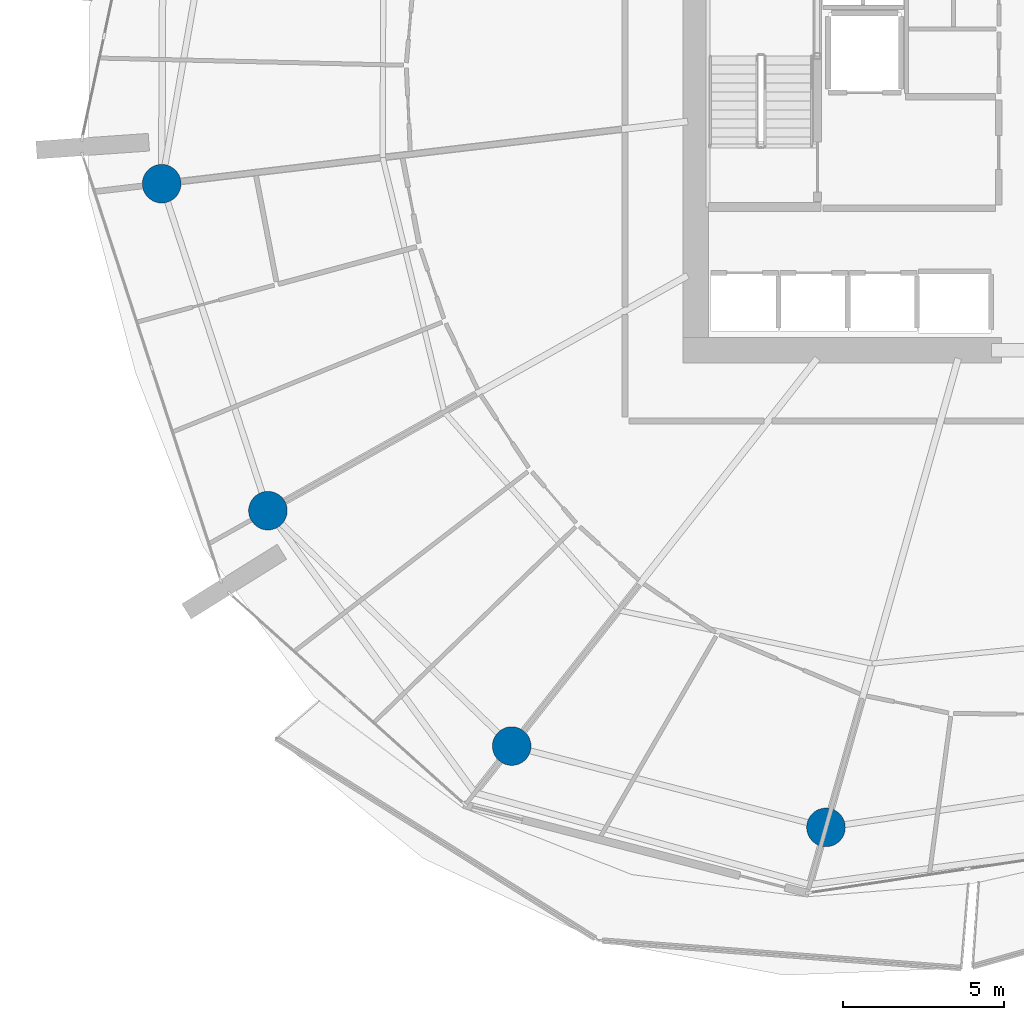
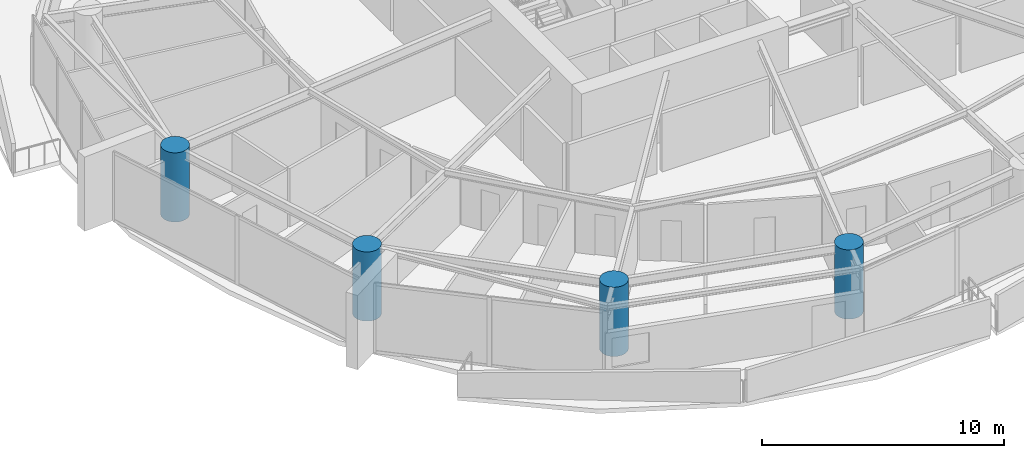
# One storey, part 1 of 23: 4 columns.
"""IFC4 building model written with IfcOpenShell, lengths in metres."""

import ifcopenshell
import ifcopenshell.guid

model = None  # the IFC model being written
_history = None  # IfcOwnerHistory: only IFC2X3 demands one
_inside = {}  # id of a spatial element -> (the spatial element, [elements in it])
_under = {}  # id of a project, library or spatial element -> (it, [spatial elements below it])
_declared = {}  # id of a project -> (the project, [libraries it declares])
_typed = {}  # id of a type object -> (the type object, [elements of that type])
_made_of = {}  # id of a material, layer set ... -> (it, [elements and type objects made of it])


def new_model(schema):
    """Start an empty IFC model of exactly this schema.

    Asked for "IFC4X3", IfcOpenShell would pick the latest addendum, in which some entities
    have other attributes; the version numbers below select the first issue.
    IFC2X3 requires an IfcOwnerHistory on every rooted entity: one is made here for all.
    """
    global model, _history
    if schema == "IFC4X3":
        model = ifcopenshell.file(schema_version=(4, 3, 0, 0))
    else:
        model = ifcopenshell.file(schema=schema)
    _inside.clear()
    _under.clear()
    _declared.clear()
    _typed.clear()
    _made_of.clear()
    _history = None
    if model.schema == "IFC2X3":
        org = make("IfcOrganization", Name="unknown")
        user = make(
            "IfcPersonAndOrganization",
            ThePerson=make("IfcPerson", FamilyName="unknown"),
            TheOrganization=org,
        )
        app = make(
            "IfcApplication",
            ApplicationDeveloper=org,
            Version="unknown",
            ApplicationFullName="unknown",
            ApplicationIdentifier="unknown",
        )
        _history = make(
            "IfcOwnerHistory",
            OwningUser=user,
            OwningApplication=app,
            ChangeAction="ADDED",
            CreationDate=0,
        )
    return model


def make(cls, **values):
    """One entity of the class cls with the attributes given. An attribute that is None is left unset."""
    return model.create_entity(
        cls, **{name: value for name, value in values.items() if value is not None}
    )


def rooted(cls, **values):
    """An entity with a GlobalId (a new one), such as an element, a storey or a relation."""
    return make(cls, GlobalId=ifcopenshell.guid.new(), OwnerHistory=_history, **values)


def si_unit(unit_type, name, prefix=None):
    """IfcSIUnit, for example si_unit("LENGTHUNIT", "METRE", prefix="MILLI")."""
    return make("IfcSIUnit", UnitType=unit_type, Prefix=prefix, Name=name)


def assignment(units):
    """IfcUnitAssignment: the units of a project."""
    return None if units is None else make("IfcUnitAssignment", Units=units)


def point(xyz):
    """IfcCartesianPoint."""
    return None if xyz is None else make("IfcCartesianPoint", Coordinates=xyz)


def direction(xyz):
    """IfcDirection."""
    return None if xyz is None else make("IfcDirection", DirectionRatios=xyz)


def frame(location, z_axis=None, x_axis=None):
    """IfcAxis2Placement3D, a coordinate frame: its origin and axes. An axis left out is left unset."""
    return make(
        "IfcAxis2Placement3D",
        Location=point(location),
        Axis=direction(z_axis),
        RefDirection=direction(x_axis),
    )


def frame_2d(location, x_axis=None):
    """IfcAxis2Placement2D, a coordinate frame in the plane: its origin and x axis."""
    return make(
        "IfcAxis2Placement2D", Location=point(location), RefDirection=direction(x_axis)
    )


def origin():
    """The frame at (0, 0, 0) with its axes left unset."""
    return frame((0.0, 0.0, 0.0))


def origin_2d():
    """The frame at (0, 0) in the plane with its x axis left unset."""
    return frame_2d((0.0, 0.0))


def place(relative_to, where):
    """IfcLocalPlacement: puts the frame where relative to a parent placement (None: the world)."""
    return make(
        "IfcLocalPlacement", PlacementRelTo=relative_to, RelativePlacement=where
    )


def context(
    kind, dimensions, precision=None, world=None, true_north=None, identifier=None
):
    """IfcGeometricRepresentationContext, for example the 3D "Model" context."""
    return make(
        "IfcGeometricRepresentationContext",
        ContextIdentifier=identifier,
        ContextType=kind,
        CoordinateSpaceDimension=dimensions,
        Precision=precision,
        WorldCoordinateSystem=world,
        TrueNorth=true_north,
    )


def subcontext(parent, identifier, kind, view, scale=None):
    """IfcGeometricRepresentationSubContext, for example "Body" below "Model"."""
    return make(
        "IfcGeometricRepresentationSubContext",
        ContextIdentifier=identifier,
        ContextType=kind,
        ParentContext=parent,
        TargetScale=scale,
        TargetView=view,
    )


def project(units=None, contexts=None):
    """IfcProject with its units and contexts."""
    return rooted(
        "IfcProject",
        Name="project",
        RepresentationContexts=contexts,
        UnitsInContext=assignment(units),
    )


def spatial(cls, under=None, at=None, **own):
    """A site, building, storey or space (cls), placed at a placement, below another one or the project."""
    s = rooted(cls, ObjectPlacement=at, **own)
    if under is not None:
        _under.setdefault(under.id(), (under, []))[1].append(s)
    return s


def profile(cls, at=None, kind="AREA", **sizes):
    """A parametric profile (cls). Its sizes go by their IFC names, for example OverallWidth=200.0."""
    return make(cls, ProfileType=kind, Position=at, **sizes)


def circle(**sizes):
    """IfcCircleProfileDef."""
    return profile("IfcCircleProfileDef", **sizes)


def extrude(swept, where, along, depth):
    """IfcExtrudedAreaSolid: the profile swept, set in the frame where, extruded along a direction by depth."""
    return make(
        "IfcExtrudedAreaSolid",
        SweptArea=swept,
        Position=where,
        ExtrudedDirection=direction(along),
        Depth=depth,
    )


def shape(context_of_items, identifier, shape_type, items):
    """IfcShapeRepresentation: the items that make up one representation, for example the "Body"."""
    return make(
        "IfcShapeRepresentation",
        ContextOfItems=context_of_items,
        RepresentationIdentifier=identifier,
        RepresentationType=shape_type,
        Items=items,
    )


def material(Name=None, Category=None):
    """IfcMaterial."""
    return make("IfcMaterial", Name=Name, Category=Category)


def material_profile(
    of_material, cross_section, Name=None, Category=None, Priority=None
):
    """IfcMaterialProfile: a cross section and its material."""
    return make(
        "IfcMaterialProfile",
        Name=Name,
        Material=of_material,
        Profile=cross_section,
        Priority=Priority,
        Category=Category,
    )


def profile_set(profiles, Name=None, composite=None):
    """IfcMaterialProfileSet."""
    return make(
        "IfcMaterialProfileSet",
        Name=Name,
        MaterialProfiles=profiles,
        CompositeProfile=composite,
    )


def made_of(thing, what):
    """Note that an element or type object is made of a material, layer set ...; save() writes the relation."""
    if what is not None:
        _made_of.setdefault(what.id(), (what, []))[1].append(thing)
    return thing


def type_object(cls, material=None, **own):
    """A type object (cls), such as IfcWallType, which elements share."""
    return made_of(rooted(cls, **own), material)


def element(
    cls,
    number,
    at=None,
    inside=None,
    cuts=None,
    type_object=None,
    material=None,
    context=None,
    identifier="Body",
    shape_type=None,
    held_by="IfcProductDefinitionShape",
    body=None,
    shapes=None,
    **own,
):
    """One element of the class cls, such as IfcWall. Its Tag is "e" and its number.

    at: its placement. inside: the storey or other place that contains it. cuts: it is an
    opening in that element (IfcRelVoidsElement). A single representation is given by context,
    identifier, shape_type and body (its items); several are given by shapes. held_by: the class
    of the entity that holds the representations. save() writes the other relations.
    """
    e = rooted(cls, Tag="e%d" % number, ObjectPlacement=at, **own)
    if body is not None:
        shapes = [shape(context, identifier, shape_type, body)]
    if shapes is not None:
        e.Representation = make(held_by, Representations=shapes)
    if inside is not None:
        _inside.setdefault(inside.id(), (inside, []))[1].append(e)
    if cuts is not None:
        rooted(
            "IfcRelVoidsElement", RelatingBuildingElement=cuts, RelatedOpeningElement=e
        )
    if type_object is not None:
        _typed.setdefault(type_object.id(), (type_object, []))[1].append(e)
    return made_of(e, material)


def aggregate(whole, parts):
    """IfcRelAggregates: a whole, such as a stair, and the parts it consists of."""
    return rooted("IfcRelAggregates", RelatingObject=whole, RelatedObjects=parts)


def save(model, path):
    """Write the relations noted so far, then the file.

    IfcRelAggregates (storeys below a building ...), IfcRelContainedInSpatialStructure (elements
    in a storey), IfcRelDefinesByType, IfcRelAssociatesMaterial and IfcRelDeclares: one each for
    every whole, place, type object, material and project.
    """
    for whole, parts in _under.values():
        aggregate(whole, parts)
    for where, things in _inside.values():
        rooted(
            "IfcRelContainedInSpatialStructure",
            RelatedElements=things,
            RelatingStructure=where,
        )
    for kind, things in _typed.values():
        rooted("IfcRelDefinesByType", RelatedObjects=things, RelatingType=kind)
    for what, things in _made_of.values():
        rooted("IfcRelAssociatesMaterial", RelatedObjects=things, RelatingMaterial=what)
    for by, libraries in _declared.values():
        rooted("IfcRelDeclares", RelatingContext=by, RelatedDefinitions=libraries)
    model.write(path)


model = new_model("IFC4")

# Units and contexts
model_context = context("Model", 3, precision=1e-05, world=origin(), true_north=direction((0.0, 1.0)))
body_context = subcontext(model_context, "Body", "Model", "MODEL_VIEW")
ifc_project = project(units=[si_unit("LENGTHUNIT", "METRE"), si_unit("AREAUNIT", "SQUARE_METRE"), si_unit("VOLUMEUNIT", "CUBIC_METRE"), si_unit("PLANEANGLEUNIT", "RADIAN"), si_unit("MASSUNIT", "GRAM", prefix="KILO")], contexts=[model_context])

# Site, building, storey
site_placement = place(None, origin())
site = spatial("IfcSite", under=ifc_project, at=site_placement, CompositionType="ELEMENT")
building_placement = place(site_placement, origin())
building = spatial("IfcBuilding", under=site, at=building_placement, Name="Kazma Halo Residences", CompositionType="ELEMENT")
storey_placement = place(building_placement, frame((0.0, 0.0, 108.89990234375)))
storey = spatial("IfcBuildingStorey", under=building, at=storey_placement, Name="L27", CompositionType="ELEMENT", Elevation=108.89990234375)

# Columns
ifc_material = material(Name="Concrete C80/95", Category="concrete")
ifc_material_profile = material_profile(ifc_material, circle(Radius=0.60009765625, at=origin_2d()), Name="CIRC1200")
ifc_profile_set = profile_set([ifc_material_profile], Name="Concrete C80/95")
column_type = type_object("IfcColumnType", Name="COL-PERIM-1200", PredefinedType="COLUMN", material=ifc_profile_set)
for number, where, z_axis, x_axis, name in (
    (1, (20.79345703125, 38.77978515625, 0.0), (0.0, 0.0, 1.0), (1.0, 0.0, 0.0), "L27 perimeter ring column P08"),
    (2, (24.0966796875, 28.613525390625, 0.0), (0.0, 0.0, 1.0), (1.0, 0.0, 0.0), "L27 perimeter ring column P09"),
    (3, (31.676513671875, 21.293701171875, 0.0), (0.0, 0.0, 1.0), (1.0, 0.0, 0.0), "L27 perimeter ring column P10"),
    (4, (41.447265625, 18.765869140625, 0.0), (0.0, 0.0, 1.0), (1.0, 0.0, 0.0), "L27 perimeter ring column P11"),
):
    element("IfcColumn", number, at=place(storey_placement, frame(where, z_axis=z_axis, x_axis=x_axis)), inside=storey, type_object=column_type, Name=name, PredefinedType="COLUMN", context=body_context, shape_type="SweptSolid", body=[
        extrude(circle(Radius=0.60009765625, at=origin_2d()), origin(), (0.0, 0.0, 1.0), 3.5),
    ])

save(model, "model.ifc")
